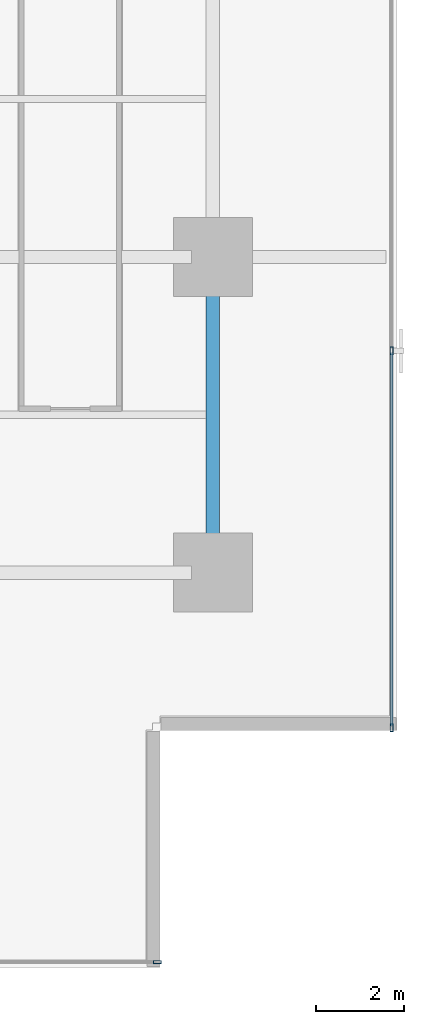
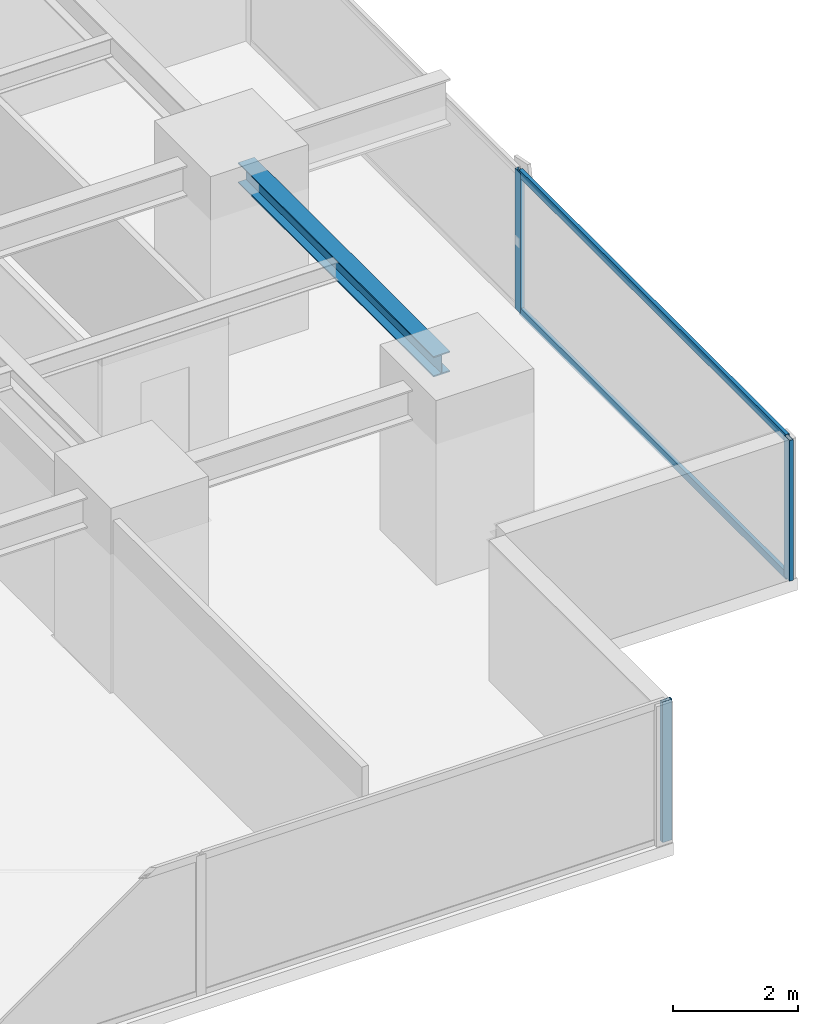
# One storey, part 13 of 33: 5 members, 1 beam, 2 elements without a shape of their own.
"""IFC4 building model written with IfcOpenShell, lengths in metres."""

from ifc_helpers import new_model, si_unit, direction, frame, origin, origin_2d, place, context, subcontext, project, spatial, hollow_rectangle, i_section, extrude, source, transform, mapped, material, layer, layer_set, material_profile, profile_set, type_object, element, aggregate, save


model = new_model("IFC4")

# Units and contexts
model_context = context("Model", 3, precision=1e-05, world=origin(), true_north=direction((0.0, 1.0)))
body_context = subcontext(model_context, "Body", "Model", "MODEL_VIEW")
ifc_project = project(units=[si_unit("LENGTHUNIT", "METRE"), si_unit("AREAUNIT", "SQUARE_METRE"), si_unit("VOLUMEUNIT", "CUBIC_METRE"), si_unit("PLANEANGLEUNIT", "RADIAN"), si_unit("MASSUNIT", "GRAM", prefix="KILO")], contexts=[model_context])

# Site, building, storey
site_placement = place(None, origin())
site = spatial("IfcSite", under=ifc_project, at=site_placement, CompositionType="ELEMENT")
building_placement = place(site_placement, origin())
building = spatial("IfcBuilding", under=site, at=building_placement, Name="Sumidabori Civic Tower", CompositionType="ELEMENT")
storey_placement = place(building_placement, frame((0.0, 0.0, 30.800048828125)))
storey = spatial("IfcBuildingStorey", under=building, at=storey_placement, Name="L07", CompositionType="ELEMENT", Elevation=30.800048828125)

# Beam
ifc_material_1 = material(Name="Steel SN490", Category="steel")
ifc_material_profile_1 = material_profile(ifc_material_1, i_section(OverallWidth=0.300048828125, OverallDepth=0.39990234375, WebThickness=0.013427734375, FlangeThickness=0.02392578125, at=origin_2d()), Name="HE 400 B")
ifc_profile_set_1 = profile_set([ifc_material_profile_1], Name="Steel SN490")
beam_type = type_object("IfcBeamType", Name="BM-GIRD-400", PredefinedType="BEAM", material=ifc_profile_set_1)
shared_shape_1 = source(origin(), body_context, "Body", "SweptSolid", [
    extrude(i_section(OverallWidth=0.300048828125, OverallDepth=0.39990234375, WebThickness=0.013427734375, FlangeThickness=0.02392578125, at=origin_2d()), origin(), (0.0, 0.0, 1.0), 6.239990234375),
])
beam_placement = place(storey_placement, frame((22.800048828125, -17.52001953125, 3.159912109375), z_axis=(0.0, 1.0, 0.0), x_axis=(-1.0, 0.0, 0.0)))
element("IfcBeam", 1, at=beam_placement, inside=storey, type_object=beam_type, Name="Primary Girder L07 GY-39", PredefinedType="BEAM", context=body_context, shape_type="MappedRepresentation", body=[
    mapped(shared_shape_1, transform((0.0, 0.0, 0.0), x_axis=(1.0, 0.0, 0.0), y_axis=(0.0, 1.0, 0.0), z_axis=(0.0, 0.0, 1.0), scale=1.0)),
])

# Curtain wall, member
ifc_material_2 = material(Name="Anodised Bronze Aluminium AW-6063-T6", Category="aluminium")
ifc_layer = layer(ifc_material_2, 0.179931640625, Name="Anodised Bronze Aluminium AW-6063-T6")
ifc_layer_set = layer_set([ifc_layer], Name="Anodised Bronze Aluminium AW-6063-T6")
curtain_wall_type = type_object("IfcCurtainWallType", Name="CW-SYS-2", PredefinedType="NOTDEFINED", material=ifc_layer_set)
curtain_wall_1_placement = place(storey_placement, origin())
curtain_wall_1 = element("IfcCurtainWall", 2, at=curtain_wall_1_placement, inside=storey, type_object=curtain_wall_type, Name="Curtain Wall CW:L07:R01", PredefinedType="NOTDEFINED")
ifc_material_profile_2 = material_profile(ifc_material_2, hollow_rectangle(XDim=0.070068359375, YDim=0.179931640625, WallThickness=0.006103515625, at=origin_2d()), Name="ALU MULLION 180x70")
ifc_profile_set_2 = profile_set([ifc_material_profile_2], Name="Anodised Bronze Aluminium AW-6063-T6")
member_type_1 = type_object("IfcMemberType", Name="CW-MUL-180", PredefinedType="MULLION", material=ifc_profile_set_2)
shared_shape_2 = source(origin(), body_context, "Body", "SweptSolid", [
    extrude(hollow_rectangle(XDim=0.070068359375, YDim=0.179931640625, WallThickness=0.006103515625, at=origin_2d()), origin(), (0.0, 0.0, 1.0), 2.739990234375),
])
member_1_placement = place(storey_placement, frame((21.534912109375, -26.8798828125, 0.0), z_axis=(0.0, 0.0, 1.0), x_axis=(0.0, 1.0, 0.0)))
member_1 = element("IfcMember", 3, at=member_1_placement, type_object=member_type_1, Name="CW-2 mullion 6", PredefinedType="MULLION", context=body_context, shape_type="MappedRepresentation", body=[
    mapped(shared_shape_2, transform((0.0, 0.0, 0.0), x_axis=(1.0, 0.0, 0.0), y_axis=(0.0, 1.0, 0.0), z_axis=(0.0, 0.0, 1.0), scale=1.0)),
])
aggregate(curtain_wall_1, [member_1])

# Curtain wall, members
curtain_wall_2_placement = place(storey_placement, origin())
curtain_wall_2 = element("IfcCurtainWall", 4, at=curtain_wall_2_placement, inside=storey, type_object=curtain_wall_type, Name="Curtain Wall CW:L07:R04", PredefinedType="NOTDEFINED")
member_2_placement = place(storey_placement, frame((26.8798828125, -21.534912109375, 0.0), z_axis=(0.0, 0.0, 1.0), x_axis=(-1.0, 0.0, 0.0)))
member_2 = element("IfcMember", 5, at=member_2_placement, type_object=member_type_1, Name="CW-2 mullion 1", PredefinedType="MULLION", context=body_context, shape_type="MappedRepresentation", body=[
    mapped(shared_shape_2, transform((0.0, 0.0, 0.0), x_axis=(1.0, 0.0, 0.0), y_axis=(0.0, 1.0, 0.0), z_axis=(0.0, 0.0, 1.0), scale=1.0)),
])
member_3_placement = place(storey_placement, frame((26.8798828125, -12.94189453125, 0.0), z_axis=(0.0, 0.0, 1.0), x_axis=(-1.0, 0.0, 0.0)))
member_3 = element("IfcMember", 6, at=member_3_placement, type_object=member_type_1, Name="CW-2 mullion 2", PredefinedType="MULLION", context=body_context, shape_type="MappedRepresentation", body=[
    mapped(shared_shape_2, transform((0.0, 0.0, 0.0), x_axis=(1.0, 0.0, 0.0), y_axis=(0.0, 1.0, 0.0), z_axis=(0.0, 0.0, 1.0), scale=1.0)),
])
ifc_material_profile_3 = material_profile(ifc_material_2, hollow_rectangle(XDim=0.06494140625, YDim=0.14990234375, WallThickness=0.0048828125, at=origin_2d()), Name="ALU TRANSOM 150x65")
ifc_profile_set_3 = profile_set([ifc_material_profile_3], Name="Anodised Bronze Aluminium AW-6063-T6")
member_type_2 = type_object("IfcMemberType", Name="CW-TRN-150", PredefinedType="USERDEFINED", material=ifc_profile_set_3)
shared_shape_3 = source(origin(), body_context, "Body", "SweptSolid", [
    extrude(hollow_rectangle(XDim=0.06494140625, YDim=0.14990234375, WallThickness=0.0048828125, at=origin_2d()), origin(), (0.0, 0.0, 1.0), 8.52294921875),
])
member_4_placement = place(storey_placement, frame((26.8798828125, -21.5, 0.032470703125), z_axis=(0.0, 1.0, 0.0), x_axis=(-1.0, 0.0, 0.0)))
member_4 = element("IfcMember", 7, at=member_4_placement, type_object=member_type_2, Name="CW-2 transom 1.1", ObjectType="TRANSOM", PredefinedType="USERDEFINED", context=body_context, shape_type="MappedRepresentation", body=[
    mapped(shared_shape_3, transform((0.0, 0.0, 0.0), x_axis=(1.0, 0.0, 0.0), y_axis=(0.0, 1.0, 0.0), z_axis=(0.0, 0.0, 1.0), scale=1.0)),
])
member_5_placement = place(storey_placement, frame((26.8798828125, -21.5, 2.70751953125), z_axis=(0.0, 1.0, 0.0), x_axis=(-1.0, 0.0, 0.0)))
member_5 = element("IfcMember", 8, at=member_5_placement, type_object=member_type_2, Name="CW-2 transom 1.2", ObjectType="TRANSOM", PredefinedType="USERDEFINED", context=body_context, shape_type="MappedRepresentation", body=[
    mapped(shared_shape_3, transform((0.0, 0.0, 0.0), x_axis=(1.0, 0.0, 0.0), y_axis=(0.0, 1.0, 0.0), z_axis=(0.0, 0.0, 1.0), scale=1.0)),
])
aggregate(curtain_wall_2, [member_2, member_3, member_4, member_5])

save(model, "model.ifc")
